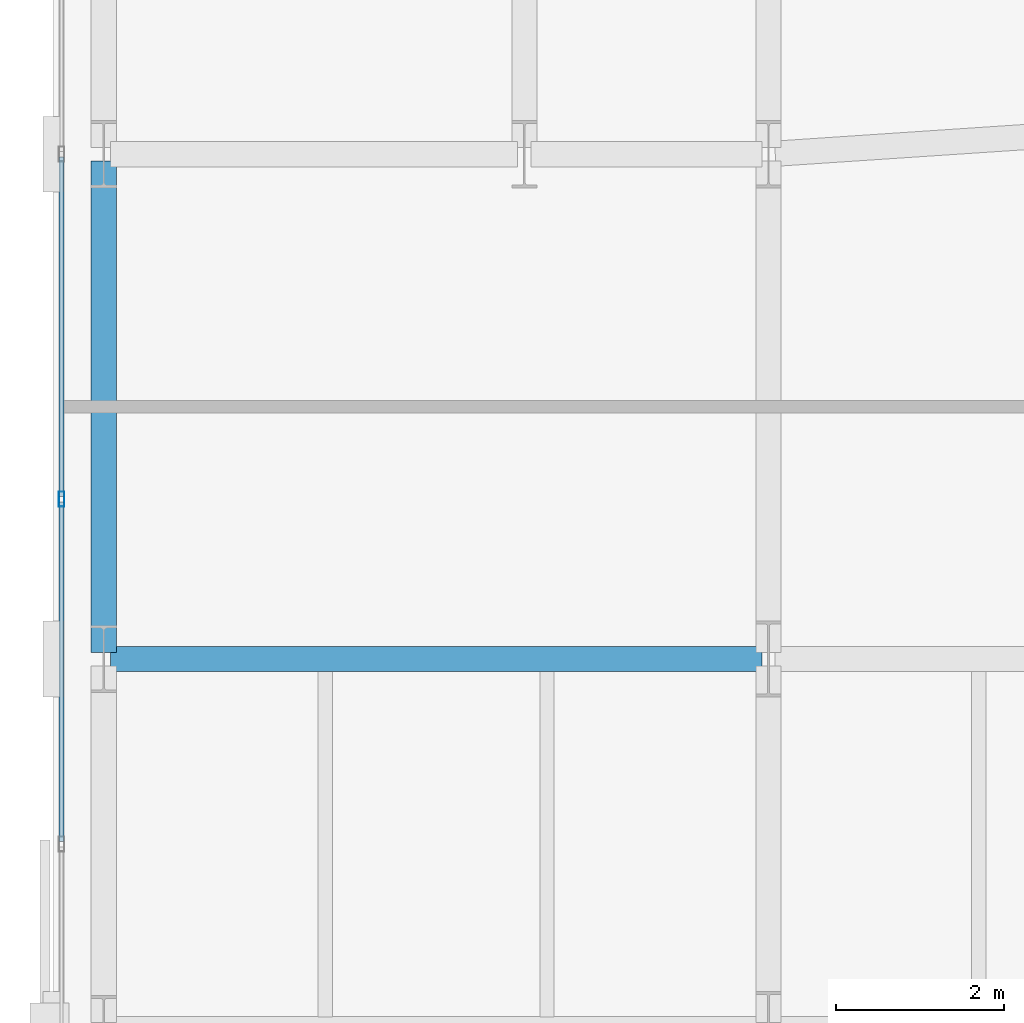
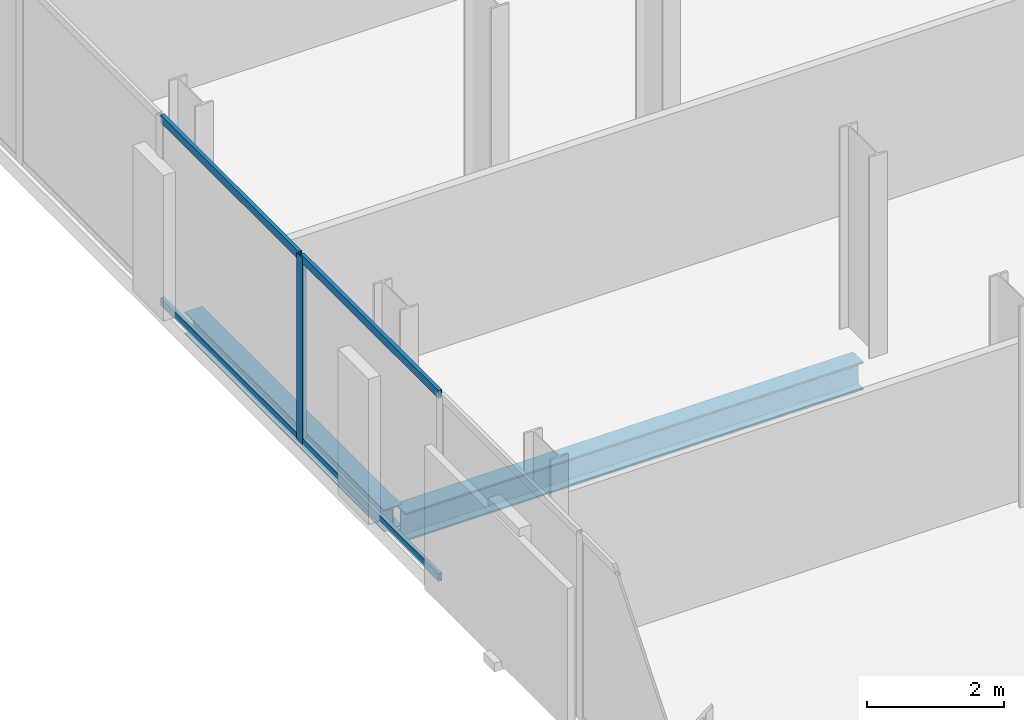
# One storey, part 9 of 33: 5 members, 2 beams, 1 element without a shape of its own.
"""IFC4 building model written with IfcOpenShell, lengths in metres."""

import ifcopenshell
import ifcopenshell.guid

model = None  # the IFC model being written
_history = None  # IfcOwnerHistory: only IFC2X3 demands one
_inside = {}  # id of a spatial element -> (the spatial element, [elements in it])
_under = {}  # id of a project, library or spatial element -> (it, [spatial elements below it])
_declared = {}  # id of a project -> (the project, [libraries it declares])
_typed = {}  # id of a type object -> (the type object, [elements of that type])
_made_of = {}  # id of a material, layer set ... -> (it, [elements and type objects made of it])


def new_model(schema):
    """Start an empty IFC model of exactly this schema.

    Asked for "IFC4X3", IfcOpenShell would pick the latest addendum, in which some entities
    have other attributes; the version numbers below select the first issue.
    IFC2X3 requires an IfcOwnerHistory on every rooted entity: one is made here for all.
    """
    global model, _history
    if schema == "IFC4X3":
        model = ifcopenshell.file(schema_version=(4, 3, 0, 0))
    else:
        model = ifcopenshell.file(schema=schema)
    _inside.clear()
    _under.clear()
    _declared.clear()
    _typed.clear()
    _made_of.clear()
    _history = None
    if model.schema == "IFC2X3":
        org = make("IfcOrganization", Name="unknown")
        user = make(
            "IfcPersonAndOrganization",
            ThePerson=make("IfcPerson", FamilyName="unknown"),
            TheOrganization=org,
        )
        app = make(
            "IfcApplication",
            ApplicationDeveloper=org,
            Version="unknown",
            ApplicationFullName="unknown",
            ApplicationIdentifier="unknown",
        )
        _history = make(
            "IfcOwnerHistory",
            OwningUser=user,
            OwningApplication=app,
            ChangeAction="ADDED",
            CreationDate=0,
        )
    return model


def make(cls, **values):
    """One entity of the class cls with the attributes given. An attribute that is None is left unset."""
    return model.create_entity(
        cls, **{name: value for name, value in values.items() if value is not None}
    )


def rooted(cls, **values):
    """An entity with a GlobalId (a new one), such as an element, a storey or a relation."""
    return make(cls, GlobalId=ifcopenshell.guid.new(), OwnerHistory=_history, **values)


def si_unit(unit_type, name, prefix=None):
    """IfcSIUnit, for example si_unit("LENGTHUNIT", "METRE", prefix="MILLI")."""
    return make("IfcSIUnit", UnitType=unit_type, Prefix=prefix, Name=name)


def assignment(units):
    """IfcUnitAssignment: the units of a project."""
    return None if units is None else make("IfcUnitAssignment", Units=units)


def point(xyz):
    """IfcCartesianPoint."""
    return None if xyz is None else make("IfcCartesianPoint", Coordinates=xyz)


def direction(xyz):
    """IfcDirection."""
    return None if xyz is None else make("IfcDirection", DirectionRatios=xyz)


def frame(location, z_axis=None, x_axis=None):
    """IfcAxis2Placement3D, a coordinate frame: its origin and axes. An axis left out is left unset."""
    return make(
        "IfcAxis2Placement3D",
        Location=point(location),
        Axis=direction(z_axis),
        RefDirection=direction(x_axis),
    )


def frame_2d(location, x_axis=None):
    """IfcAxis2Placement2D, a coordinate frame in the plane: its origin and x axis."""
    return make(
        "IfcAxis2Placement2D", Location=point(location), RefDirection=direction(x_axis)
    )


def origin():
    """The frame at (0, 0, 0) with its axes left unset."""
    return frame((0.0, 0.0, 0.0))


def origin_2d():
    """The frame at (0, 0) in the plane with its x axis left unset."""
    return frame_2d((0.0, 0.0))


def place(relative_to, where):
    """IfcLocalPlacement: puts the frame where relative to a parent placement (None: the world)."""
    return make(
        "IfcLocalPlacement", PlacementRelTo=relative_to, RelativePlacement=where
    )


def context(
    kind, dimensions, precision=None, world=None, true_north=None, identifier=None
):
    """IfcGeometricRepresentationContext, for example the 3D "Model" context."""
    return make(
        "IfcGeometricRepresentationContext",
        ContextIdentifier=identifier,
        ContextType=kind,
        CoordinateSpaceDimension=dimensions,
        Precision=precision,
        WorldCoordinateSystem=world,
        TrueNorth=true_north,
    )


def subcontext(parent, identifier, kind, view, scale=None):
    """IfcGeometricRepresentationSubContext, for example "Body" below "Model"."""
    return make(
        "IfcGeometricRepresentationSubContext",
        ContextIdentifier=identifier,
        ContextType=kind,
        ParentContext=parent,
        TargetScale=scale,
        TargetView=view,
    )


def project(units=None, contexts=None):
    """IfcProject with its units and contexts."""
    return rooted(
        "IfcProject",
        Name="project",
        RepresentationContexts=contexts,
        UnitsInContext=assignment(units),
    )


def spatial(cls, under=None, at=None, **own):
    """A site, building, storey or space (cls), placed at a placement, below another one or the project."""
    s = rooted(cls, ObjectPlacement=at, **own)
    if under is not None:
        _under.setdefault(under.id(), (under, []))[1].append(s)
    return s


def profile(cls, at=None, kind="AREA", **sizes):
    """A parametric profile (cls). Its sizes go by their IFC names, for example OverallWidth=200.0."""
    return make(cls, ProfileType=kind, Position=at, **sizes)


def hollow_rectangle(**sizes):
    """IfcRectangleHollowProfileDef."""
    return profile("IfcRectangleHollowProfileDef", **sizes)


def i_section(**sizes):
    """IfcIShapeProfileDef."""
    return profile("IfcIShapeProfileDef", **sizes)


def extrude(swept, where, along, depth):
    """IfcExtrudedAreaSolid: the profile swept, set in the frame where, extruded along a direction by depth."""
    return make(
        "IfcExtrudedAreaSolid",
        SweptArea=swept,
        Position=where,
        ExtrudedDirection=direction(along),
        Depth=depth,
    )


def shape(context_of_items, identifier, shape_type, items):
    """IfcShapeRepresentation: the items that make up one representation, for example the "Body"."""
    return make(
        "IfcShapeRepresentation",
        ContextOfItems=context_of_items,
        RepresentationIdentifier=identifier,
        RepresentationType=shape_type,
        Items=items,
    )


def material(Name=None, Category=None):
    """IfcMaterial."""
    return make("IfcMaterial", Name=Name, Category=Category)


def layer(
    of_material, thickness, ventilated=None, Name=None, Category=None, Priority=None
):
    """IfcMaterialLayer: one layer of a wall or slab, of a material (None: an air gap)."""
    return make(
        "IfcMaterialLayer",
        Material=of_material,
        LayerThickness=thickness,
        IsVentilated=ventilated,
        Name=Name,
        Category=Category,
        Priority=Priority,
    )


def layer_set(layers, Name=None):
    """IfcMaterialLayerSet."""
    return make("IfcMaterialLayerSet", MaterialLayers=layers, LayerSetName=Name)


def material_profile(
    of_material, cross_section, Name=None, Category=None, Priority=None
):
    """IfcMaterialProfile: a cross section and its material."""
    return make(
        "IfcMaterialProfile",
        Name=Name,
        Material=of_material,
        Profile=cross_section,
        Priority=Priority,
        Category=Category,
    )


def profile_set(profiles, Name=None, composite=None):
    """IfcMaterialProfileSet."""
    return make(
        "IfcMaterialProfileSet",
        Name=Name,
        MaterialProfiles=profiles,
        CompositeProfile=composite,
    )


def made_of(thing, what):
    """Note that an element or type object is made of a material, layer set ...; save() writes the relation."""
    if what is not None:
        _made_of.setdefault(what.id(), (what, []))[1].append(thing)
    return thing


def type_object(cls, material=None, **own):
    """A type object (cls), such as IfcWallType, which elements share."""
    return made_of(rooted(cls, **own), material)


def element(
    cls,
    number,
    at=None,
    inside=None,
    cuts=None,
    type_object=None,
    material=None,
    context=None,
    identifier="Body",
    shape_type=None,
    held_by="IfcProductDefinitionShape",
    body=None,
    shapes=None,
    **own,
):
    """One element of the class cls, such as IfcWall. Its Tag is "e" and its number.

    at: its placement. inside: the storey or other place that contains it. cuts: it is an
    opening in that element (IfcRelVoidsElement). A single representation is given by context,
    identifier, shape_type and body (its items); several are given by shapes. held_by: the class
    of the entity that holds the representations. save() writes the other relations.
    """
    e = rooted(cls, Tag="e%d" % number, ObjectPlacement=at, **own)
    if body is not None:
        shapes = [shape(context, identifier, shape_type, body)]
    if shapes is not None:
        e.Representation = make(held_by, Representations=shapes)
    if inside is not None:
        _inside.setdefault(inside.id(), (inside, []))[1].append(e)
    if cuts is not None:
        rooted(
            "IfcRelVoidsElement", RelatingBuildingElement=cuts, RelatedOpeningElement=e
        )
    if type_object is not None:
        _typed.setdefault(type_object.id(), (type_object, []))[1].append(e)
    return made_of(e, material)


def aggregate(whole, parts):
    """IfcRelAggregates: a whole, such as a stair, and the parts it consists of."""
    return rooted("IfcRelAggregates", RelatingObject=whole, RelatedObjects=parts)


def save(model, path):
    """Write the relations noted so far, then the file.

    IfcRelAggregates (storeys below a building ...), IfcRelContainedInSpatialStructure (elements
    in a storey), IfcRelDefinesByType, IfcRelAssociatesMaterial and IfcRelDeclares: one each for
    every whole, place, type object, material and project.
    """
    for whole, parts in _under.values():
        aggregate(whole, parts)
    for where, things in _inside.values():
        rooted(
            "IfcRelContainedInSpatialStructure",
            RelatedElements=things,
            RelatingStructure=where,
        )
    for kind, things in _typed.values():
        rooted("IfcRelDefinesByType", RelatedObjects=things, RelatingType=kind)
    for what, things in _made_of.values():
        rooted("IfcRelAssociatesMaterial", RelatedObjects=things, RelatingMaterial=what)
    for by, libraries in _declared.values():
        rooted("IfcRelDeclares", RelatingContext=by, RelatedDefinitions=libraries)
    model.write(path)


model = new_model("IFC4")

# Units and contexts
model_context = context("Model", 3, precision=1e-05, world=origin(), true_north=direction((0.0, 1.0)))
body_context = subcontext(model_context, "Body", "Model", "MODEL_VIEW")
ifc_project = project(units=[si_unit("LENGTHUNIT", "METRE"), si_unit("AREAUNIT", "SQUARE_METRE"), si_unit("VOLUMEUNIT", "CUBIC_METRE"), si_unit("PLANEANGLEUNIT", "RADIAN"), si_unit("MASSUNIT", "GRAM", prefix="KILO")], contexts=[model_context])

# Site, building, storey
site_placement = place(None, origin())
site = spatial("IfcSite", under=ifc_project, at=site_placement, CompositionType="ELEMENT")
building_placement = place(site_placement, origin())
building = spatial("IfcBuilding", under=site, at=building_placement, Name="Catumbela Crestline Tower", CompositionType="ELEMENT")
storey_placement = place(building_placement, frame((0.0, 0.0, 43.8)))
storey = spatial("IfcBuildingStorey", under=building, at=storey_placement, Name="L10", CompositionType="ELEMENT", Elevation=43.8)

# Beam
ifc_material_1 = material(Name="Structural steel S355J2", Category="steel")
ifc_material_profile_1 = material_profile(ifc_material_1, i_section(OverallWidth=0.3, OverallDepth=0.5, WebThickness=0.0145, FlangeThickness=0.028, FilletRadius=0.027, at=origin_2d()), Name="HEB 500")
ifc_profile_set_1 = profile_set([ifc_material_profile_1], Name="Structural steel S355J2")
beam_type_1 = type_object("IfcBeamType", Name="BG-HEB500", PredefinedType="BEAM", material=ifc_profile_set_1)
beam_1_placement = place(storey_placement, frame((0.68, 18.0, -0.51), z_axis=(1.0, 0.0, 0.0), x_axis=(0.0, 1.0, 0.0)))
element("IfcBeam", 1, at=beam_1_placement, inside=storey, type_object=beam_type_1, Name="L10 Beam BM-L10-WEW54", PredefinedType="BEAM", context=body_context, shape_type="SweptSolid", body=[
    extrude(i_section(OverallWidth=0.3, OverallDepth=0.5, WebThickness=0.0145, FlangeThickness=0.028, FilletRadius=0.027, at=origin_2d()), origin(), (0.0, 0.0, 1.0), 7.74),
])

# Curtain wall, member
ifc_material_2 = material(Name="Aluminium alloy AW-6060-T66", Category="aluminium")
ifc_layer = layer(ifc_material_2, 0.18, Name="Aluminium alloy AW-6060-T66")
ifc_layer_set = layer_set([ifc_layer], Name="Aluminium alloy AW-6060-T66")
curtain_wall_type = type_object("IfcCurtainWallType", Name="CWU-Z1", PredefinedType="USERDEFINED", material=ifc_layer_set)
curtain_wall_placement = place(storey_placement, origin())
curtain_wall = element("IfcCurtainWall", 2, at=curtain_wall_placement, inside=storey, type_object=curtain_wall_type, Name="L10 Unitised Curtain Wall CW-L10-E9S1", ObjectType="UNITISED", PredefinedType="USERDEFINED")
ifc_material_profile_2 = material_profile(ifc_material_2, hollow_rectangle(XDim=0.065, YDim=0.18, WallThickness=0.004, at=origin_2d()), Name="ALU 180x65x4")
ifc_profile_set_2 = profile_set([ifc_material_profile_2], Name="Aluminium alloy AW-6060-T66")
member_type_1 = type_object("IfcMemberType", Name="MUL-180X65", PredefinedType="MULLION", material=ifc_profile_set_2)
member_1_placement = place(storey_placement, frame((0.1, 19.9, 0.0), z_axis=(0.0, 0.0, 1.0), x_axis=(1.0, 0.0, 0.0)))
member_1 = element("IfcMember", 3, at=member_1_placement, type_object=member_type_1, Name="CWU-Z1 mullion 7", PredefinedType="MULLION", context=body_context, shape_type="SweptSolid", body=[
    extrude(hollow_rectangle(XDim=0.065, YDim=0.18, WallThickness=0.004, at=origin_2d()), origin(), (0.0, 0.0, 1.0), 3.33),
])

# Beam
ifc_material_profile_3 = material_profile(ifc_material_1, i_section(OverallWidth=0.3, OverallDepth=0.39, WebThickness=0.011, FlangeThickness=0.019, FilletRadius=0.027, at=origin_2d()), Name="HEA 400")
ifc_profile_set_3 = profile_set([ifc_material_profile_3], Name="Structural steel S355J2")
beam_type_2 = type_object("IfcBeamType", Name="BS-HEA400", PredefinedType="SPANDREL", material=ifc_profile_set_3)
beam_2_placement = place(storey_placement, frame((0.6, 18.08, -0.455), z_axis=(0.0, 1.0, 0.0), x_axis=(-1.0, 0.0, 0.0)))
element("IfcBeam", 4, at=beam_2_placement, inside=storey, type_object=beam_type_2, Name="L10 Spandrel SP-L10-WNS60", PredefinedType="SPANDREL", context=body_context, shape_type="SweptSolid", body=[
    extrude(i_section(OverallWidth=0.3, OverallDepth=0.39, WebThickness=0.011, FlangeThickness=0.019, FilletRadius=0.027, at=origin_2d()), origin(), (0.0, 0.0, 1.0), 5.84),
])

# Member
ifc_material_profile_4 = material_profile(ifc_material_2, hollow_rectangle(XDim=0.06, YDim=0.14, WallThickness=0.004, at=origin_2d()), Name="ALU 140x60x4")
ifc_profile_set_4 = profile_set([ifc_material_profile_4], Name="Aluminium alloy AW-6060-T66")
member_type_2 = type_object("IfcMemberType", Name="TRN-140X60", PredefinedType="USERDEFINED", material=ifc_profile_set_4)
member_2_placement = place(storey_placement, frame((0.1, 23.9675, 0.03), z_axis=(0.0, -1.0, 0.0), x_axis=(1.0, 0.0, 0.0)))
member_2 = element("IfcMember", 5, at=member_2_placement, type_object=member_type_2, Name="CWU-Z1 transom 6.1", ObjectType="TRANSOM", PredefinedType="USERDEFINED", context=body_context, shape_type="SweptSolid", body=[
    extrude(hollow_rectangle(XDim=0.06, YDim=0.14, WallThickness=0.004, at=origin_2d()), origin(), (0.0, 0.0, 1.0), 4.035),
])

member_3_placement = place(storey_placement, frame((0.1, 23.9675, 3.3), z_axis=(0.0, -1.0, 0.0), x_axis=(1.0, 0.0, 0.0)))
member_3 = element("IfcMember", 6, at=member_3_placement, type_object=member_type_2, Name="CWU-Z1 transom 6.2", ObjectType="TRANSOM", PredefinedType="USERDEFINED", context=body_context, shape_type="SweptSolid", body=[
    extrude(hollow_rectangle(XDim=0.06, YDim=0.14, WallThickness=0.004, at=origin_2d()), origin(), (0.0, 0.0, 1.0), 4.035),
])

member_4_placement = place(storey_placement, frame((0.1, 19.8675, 0.03), z_axis=(0.0, -1.0, 0.0), x_axis=(1.0, 0.0, 0.0)))
member_4 = element("IfcMember", 7, at=member_4_placement, type_object=member_type_2, Name="CWU-Z1 transom 7.1", ObjectType="TRANSOM", PredefinedType="USERDEFINED", context=body_context, shape_type="SweptSolid", body=[
    extrude(hollow_rectangle(XDim=0.06, YDim=0.14, WallThickness=0.004, at=origin_2d()), origin(), (0.0, 0.0, 1.0), 4.035),
])

member_5_placement = place(storey_placement, frame((0.1, 19.8675, 3.3), z_axis=(0.0, -1.0, 0.0), x_axis=(1.0, 0.0, 0.0)))
member_5 = element("IfcMember", 8, at=member_5_placement, type_object=member_type_2, Name="CWU-Z1 transom 7.2", ObjectType="TRANSOM", PredefinedType="USERDEFINED", context=body_context, shape_type="SweptSolid", body=[
    extrude(hollow_rectangle(XDim=0.06, YDim=0.14, WallThickness=0.004, at=origin_2d()), origin(), (0.0, 0.0, 1.0), 4.035),
])

aggregate(curtain_wall, [member_1, member_2, member_3, member_4, member_5])

save(model, "model.ifc")
